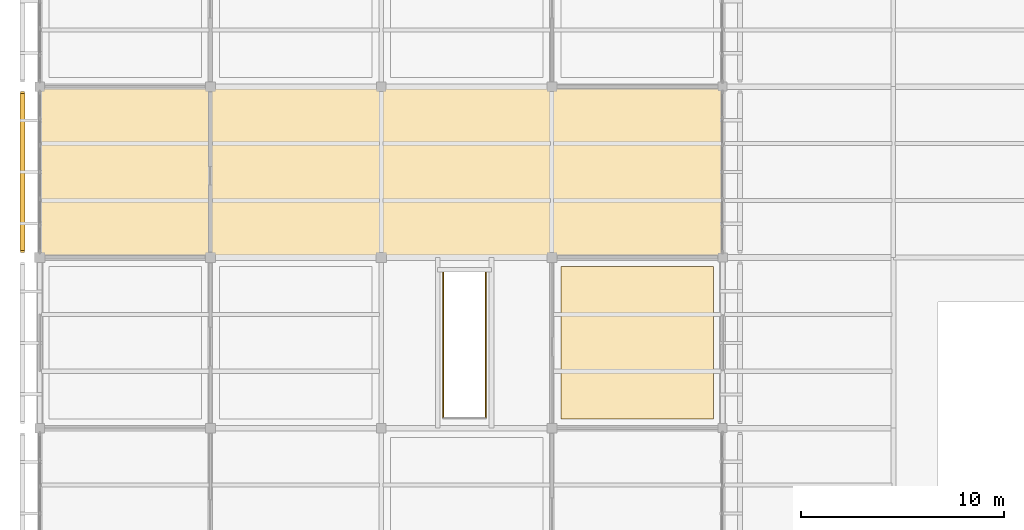
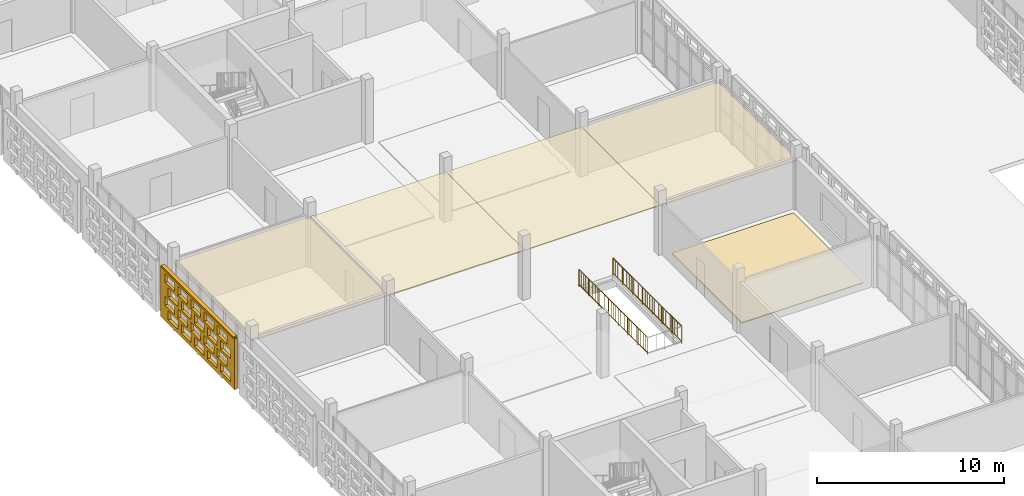
# One storey, part 129 of 166: 6 coverings, 2 railings, 1 shading device, 20 openings.
"""IFC4 building model written with IfcOpenShell, lengths in metres."""

from ifc_helpers import new_model, si_unit, direction, frame, frame_2d, origin, origin_2d, place, context, subcontext, project, spatial, rectangle, circle, extrude, material, layer, layer_set, type_object, element, save


model = new_model("IFC4")

# Units and contexts
model_context = context("Model", 3, precision=1e-05, world=origin(), true_north=direction((0.0, 1.0)))
body_context = subcontext(model_context, "Body", "Model", "MODEL_VIEW")
ifc_project = project(units=[si_unit("LENGTHUNIT", "METRE"), si_unit("AREAUNIT", "SQUARE_METRE"), si_unit("VOLUMEUNIT", "CUBIC_METRE"), si_unit("PLANEANGLEUNIT", "RADIAN"), si_unit("MASSUNIT", "GRAM", prefix="KILO")], contexts=[model_context])

# Site, building, storey
site_placement = place(None, origin())
site = spatial("IfcSite", under=ifc_project, at=site_placement, CompositionType="ELEMENT")
building_placement = place(site_placement, origin())
building = spatial("IfcBuilding", under=site, at=building_placement, Name="Varnapada Polytechnic", CompositionType="ELEMENT")
storey_placement = place(building_placement, frame((0.0, 0.0, 9.60009765625)))
storey = spatial("IfcBuildingStorey", under=building, at=storey_placement, Name="L02", CompositionType="ELEMENT", Elevation=9.60009765625)

# Covering
ifc_material_1 = material(Name="End-Grain Timber Studio Block Flooring", Category="wood")
ifc_layer_1 = layer(ifc_material_1, 0.054931640625)
ifc_layer_set_1 = layer_set([ifc_layer_1], Name="End-Grain Timber Studio Block Flooring")
covering_type_1 = type_object("IfcCoveringType", Name="Floor Finish FLR-04", PredefinedType="FLOORING", material=ifc_layer_set_1)
covering_1_placement = place(storey_placement, frame((29.39990234375, 79.800048828125, 0.0), z_axis=(0.0, 0.0, 1.0), x_axis=(1.0, 0.0, 0.0)))
element("IfcCovering", 1, at=covering_1_placement, inside=storey, type_object=covering_type_1, Name="L02 floor finish panel (4,10)", PredefinedType="FLOORING", context=body_context, shape_type="SweptSolid", body=[
    extrude(rectangle(XDim=7.5, YDim=7.5, at=origin_2d()), origin(), (0.0, 0.0, 1.0), 0.054931640625),
])

# Railings
ifc_material_2 = material(Name="Brushed Stainless Steel 316", Category="steel")
railing_type = type_object("IfcRailingType", Name="Stair Well Guard Rail SGR-01", PredefinedType="BALUSTRADE", material=ifc_material_2)
railing_1_placement = place(storey_placement, frame((19.85009765625, 76.080078125, 0.0)))
element("IfcRailing", 2, at=railing_1_placement, inside=storey, type_object=railing_type, Name="L02 studio stair ST-F7 well guard 1", PredefinedType="BALUSTRADE", context=body_context, shape_type="SweptSolid", body=[
    extrude(circle(Radius=0.02392578125, at=origin_2d()), frame((0.0, 0.0, 1.09619140625), z_axis=(0.0, 1.0, 0.0), x_axis=(-1.0, 0.0, 0.0)), (0.0, 0.0, 1.0), 7.33984375),
    extrude(circle(Radius=0.02392578125, at=origin_2d()), frame((0.0, 0.0, 0.10009765625), z_axis=(0.0, 1.0, 0.0), x_axis=(-1.0, 0.0, 0.0)), (0.0, 0.0, 1.0), 7.33984375),
    extrude(circle(Radius=0.02099609375, at=origin_2d()), origin(), (0.0, 0.0, 1.0), 1.072021484375),
    extrude(circle(Radius=0.02099609375, at=origin_2d()), frame((0.0, 1.048583984375, 0.0)), (0.0, 0.0, 1.0), 1.072021484375),
    extrude(circle(Radius=0.02099609375, at=origin_2d()), frame((0.0, 2.09716796875, 0.0)), (0.0, 0.0, 1.0), 1.072021484375),
    extrude(circle(Radius=0.02099609375, at=origin_2d()), frame((0.0, 3.145751953125, 0.0)), (0.0, 0.0, 1.0), 1.072021484375),
    extrude(circle(Radius=0.02099609375, at=origin_2d()), frame((0.0, 4.194091796875, 0.0)), (0.0, 0.0, 1.0), 1.072021484375),
    extrude(circle(Radius=0.02099609375, at=origin_2d()), frame((0.0, 5.24267578125, 0.0)), (0.0, 0.0, 1.0), 1.072021484375),
    extrude(circle(Radius=0.02099609375, at=origin_2d()), frame((0.0, 6.291259765625, 0.0)), (0.0, 0.0, 1.0), 1.072021484375),
    extrude(circle(Radius=0.02099609375, at=origin_2d()), frame((0.0, 7.33984375, 0.0)), (0.0, 0.0, 1.0), 1.072021484375),
    extrude(circle(Radius=0.010009765625, at=origin_2d()), frame((0.0, 0.24462890625, 0.10009765625)), (0.0, 0.0, 1.0), 0.971923828125),
    extrude(circle(Radius=0.010009765625, at=origin_2d()), frame((0.0, 0.4892578125, 0.10009765625)), (0.0, 0.0, 1.0), 0.971923828125),
    extrude(circle(Radius=0.010009765625, at=origin_2d()), frame((0.0, 0.73388671875, 0.10009765625)), (0.0, 0.0, 1.0), 0.971923828125),
    extrude(circle(Radius=0.010009765625, at=origin_2d()), frame((0.0, 0.978759765625, 0.10009765625)), (0.0, 0.0, 1.0), 0.971923828125),
    extrude(circle(Radius=0.010009765625, at=origin_2d()), frame((0.0, 1.223388671875, 0.10009765625)), (0.0, 0.0, 1.0), 0.971923828125),
    extrude(circle(Radius=0.010009765625, at=origin_2d()), frame((0.0, 1.468017578125, 0.10009765625)), (0.0, 0.0, 1.0), 0.971923828125),
    extrude(circle(Radius=0.010009765625, at=origin_2d()), frame((0.0, 1.712646484375, 0.10009765625)), (0.0, 0.0, 1.0), 0.971923828125),
    extrude(circle(Radius=0.010009765625, at=origin_2d()), frame((0.0, 1.957275390625, 0.10009765625)), (0.0, 0.0, 1.0), 0.971923828125),
    extrude(circle(Radius=0.010009765625, at=origin_2d()), frame((0.0, 2.201904296875, 0.10009765625)), (0.0, 0.0, 1.0), 0.971923828125),
    extrude(circle(Radius=0.010009765625, at=origin_2d()), frame((0.0, 2.446533203125, 0.10009765625)), (0.0, 0.0, 1.0), 0.971923828125),
    extrude(circle(Radius=0.010009765625, at=origin_2d()), frame((0.0, 2.691162109375, 0.10009765625)), (0.0, 0.0, 1.0), 0.971923828125),
    extrude(circle(Radius=0.010009765625, at=origin_2d()), frame((0.0, 2.93603515625, 0.10009765625)), (0.0, 0.0, 1.0), 0.971923828125),
    extrude(circle(Radius=0.010009765625, at=origin_2d()), frame((0.0, 3.1806640625, 0.10009765625)), (0.0, 0.0, 1.0), 0.971923828125),
    extrude(circle(Radius=0.010009765625, at=origin_2d()), frame((0.0, 3.42529296875, 0.10009765625)), (0.0, 0.0, 1.0), 0.971923828125),
    extrude(circle(Radius=0.010009765625, at=origin_2d()), frame((0.0, 3.669921875, 0.10009765625)), (0.0, 0.0, 1.0), 0.971923828125),
    extrude(circle(Radius=0.010009765625, at=origin_2d()), frame((0.0, 3.91455078125, 0.10009765625)), (0.0, 0.0, 1.0), 0.971923828125),
    extrude(circle(Radius=0.010009765625, at=origin_2d()), frame((0.0, 4.1591796875, 0.10009765625)), (0.0, 0.0, 1.0), 0.971923828125),
    extrude(circle(Radius=0.010009765625, at=origin_2d()), frame((0.0, 4.40380859375, 0.10009765625)), (0.0, 0.0, 1.0), 0.971923828125),
    extrude(circle(Radius=0.010009765625, at=origin_2d()), frame((0.0, 4.648681640625, 0.10009765625)), (0.0, 0.0, 1.0), 0.971923828125),
    extrude(circle(Radius=0.010009765625, at=origin_2d()), frame((0.0, 4.893310546875, 0.10009765625)), (0.0, 0.0, 1.0), 0.971923828125),
    extrude(circle(Radius=0.010009765625, at=origin_2d()), frame((0.0, 5.137939453125, 0.10009765625)), (0.0, 0.0, 1.0), 0.971923828125),
    extrude(circle(Radius=0.010009765625, at=origin_2d()), frame((0.0, 5.382568359375, 0.10009765625)), (0.0, 0.0, 1.0), 0.971923828125),
    extrude(circle(Radius=0.010009765625, at=origin_2d()), frame((0.0, 5.627197265625, 0.10009765625)), (0.0, 0.0, 1.0), 0.971923828125),
    extrude(circle(Radius=0.010009765625, at=origin_2d()), frame((0.0, 5.871826171875, 0.10009765625)), (0.0, 0.0, 1.0), 0.971923828125),
    extrude(circle(Radius=0.010009765625, at=origin_2d()), frame((0.0, 6.116455078125, 0.10009765625)), (0.0, 0.0, 1.0), 0.971923828125),
    extrude(circle(Radius=0.010009765625, at=origin_2d()), frame((0.0, 6.361083984375, 0.10009765625)), (0.0, 0.0, 1.0), 0.971923828125),
    extrude(circle(Radius=0.010009765625, at=origin_2d()), frame((0.0, 6.60595703125, 0.10009765625)), (0.0, 0.0, 1.0), 0.971923828125),
    extrude(circle(Radius=0.010009765625, at=origin_2d()), frame((0.0, 6.8505859375, 0.10009765625)), (0.0, 0.0, 1.0), 0.971923828125),
    extrude(circle(Radius=0.010009765625, at=origin_2d()), frame((0.0, 7.09521484375, 0.10009765625)), (0.0, 0.0, 1.0), 0.971923828125),
])
railing_2_placement = place(storey_placement, frame((21.949951171875, 76.080078125, 0.0)))
element("IfcRailing", 3, at=railing_2_placement, inside=storey, type_object=railing_type, Name="L02 studio stair ST-F7 well guard 2", PredefinedType="BALUSTRADE", context=body_context, shape_type="SweptSolid", body=[
    extrude(circle(Radius=0.02392578125, at=origin_2d()), frame((0.0, 0.0, 1.09619140625), z_axis=(0.0, 1.0, 0.0), x_axis=(-1.0, 0.0, 0.0)), (0.0, 0.0, 1.0), 7.33984375),
    extrude(circle(Radius=0.02392578125, at=origin_2d()), frame((0.0, 0.0, 0.10009765625), z_axis=(0.0, 1.0, 0.0), x_axis=(-1.0, 0.0, 0.0)), (0.0, 0.0, 1.0), 7.33984375),
    extrude(circle(Radius=0.02099609375, at=origin_2d()), origin(), (0.0, 0.0, 1.0), 1.072021484375),
    extrude(circle(Radius=0.02099609375, at=origin_2d()), frame((0.0, 1.048583984375, 0.0)), (0.0, 0.0, 1.0), 1.072021484375),
    extrude(circle(Radius=0.02099609375, at=origin_2d()), frame((0.0, 2.09716796875, 0.0)), (0.0, 0.0, 1.0), 1.072021484375),
    extrude(circle(Radius=0.02099609375, at=origin_2d()), frame((0.0, 3.145751953125, 0.0)), (0.0, 0.0, 1.0), 1.072021484375),
    extrude(circle(Radius=0.02099609375, at=origin_2d()), frame((0.0, 4.194091796875, 0.0)), (0.0, 0.0, 1.0), 1.072021484375),
    extrude(circle(Radius=0.02099609375, at=origin_2d()), frame((0.0, 5.24267578125, 0.0)), (0.0, 0.0, 1.0), 1.072021484375),
    extrude(circle(Radius=0.02099609375, at=origin_2d()), frame((0.0, 6.291259765625, 0.0)), (0.0, 0.0, 1.0), 1.072021484375),
    extrude(circle(Radius=0.02099609375, at=origin_2d()), frame((0.0, 7.33984375, 0.0)), (0.0, 0.0, 1.0), 1.072021484375),
    extrude(circle(Radius=0.010009765625, at=origin_2d()), frame((0.0, 0.24462890625, 0.10009765625)), (0.0, 0.0, 1.0), 0.971923828125),
    extrude(circle(Radius=0.010009765625, at=origin_2d()), frame((0.0, 0.4892578125, 0.10009765625)), (0.0, 0.0, 1.0), 0.971923828125),
    extrude(circle(Radius=0.010009765625, at=origin_2d()), frame((0.0, 0.73388671875, 0.10009765625)), (0.0, 0.0, 1.0), 0.971923828125),
    extrude(circle(Radius=0.010009765625, at=origin_2d()), frame((0.0, 0.978759765625, 0.10009765625)), (0.0, 0.0, 1.0), 0.971923828125),
    extrude(circle(Radius=0.010009765625, at=origin_2d()), frame((0.0, 1.223388671875, 0.10009765625)), (0.0, 0.0, 1.0), 0.971923828125),
    extrude(circle(Radius=0.010009765625, at=origin_2d()), frame((0.0, 1.468017578125, 0.10009765625)), (0.0, 0.0, 1.0), 0.971923828125),
    extrude(circle(Radius=0.010009765625, at=origin_2d()), frame((0.0, 1.712646484375, 0.10009765625)), (0.0, 0.0, 1.0), 0.971923828125),
    extrude(circle(Radius=0.010009765625, at=origin_2d()), frame((0.0, 1.957275390625, 0.10009765625)), (0.0, 0.0, 1.0), 0.971923828125),
    extrude(circle(Radius=0.010009765625, at=origin_2d()), frame((0.0, 2.201904296875, 0.10009765625)), (0.0, 0.0, 1.0), 0.971923828125),
    extrude(circle(Radius=0.010009765625, at=origin_2d()), frame((0.0, 2.446533203125, 0.10009765625)), (0.0, 0.0, 1.0), 0.971923828125),
    extrude(circle(Radius=0.010009765625, at=origin_2d()), frame((0.0, 2.691162109375, 0.10009765625)), (0.0, 0.0, 1.0), 0.971923828125),
    extrude(circle(Radius=0.010009765625, at=origin_2d()), frame((0.0, 2.93603515625, 0.10009765625)), (0.0, 0.0, 1.0), 0.971923828125),
    extrude(circle(Radius=0.010009765625, at=origin_2d()), frame((0.0, 3.1806640625, 0.10009765625)), (0.0, 0.0, 1.0), 0.971923828125),
    extrude(circle(Radius=0.010009765625, at=origin_2d()), frame((0.0, 3.42529296875, 0.10009765625)), (0.0, 0.0, 1.0), 0.971923828125),
    extrude(circle(Radius=0.010009765625, at=origin_2d()), frame((0.0, 3.669921875, 0.10009765625)), (0.0, 0.0, 1.0), 0.971923828125),
    extrude(circle(Radius=0.010009765625, at=origin_2d()), frame((0.0, 3.91455078125, 0.10009765625)), (0.0, 0.0, 1.0), 0.971923828125),
    extrude(circle(Radius=0.010009765625, at=origin_2d()), frame((0.0, 4.1591796875, 0.10009765625)), (0.0, 0.0, 1.0), 0.971923828125),
    extrude(circle(Radius=0.010009765625, at=origin_2d()), frame((0.0, 4.40380859375, 0.10009765625)), (0.0, 0.0, 1.0), 0.971923828125),
    extrude(circle(Radius=0.010009765625, at=origin_2d()), frame((0.0, 4.648681640625, 0.10009765625)), (0.0, 0.0, 1.0), 0.971923828125),
    extrude(circle(Radius=0.010009765625, at=origin_2d()), frame((0.0, 4.893310546875, 0.10009765625)), (0.0, 0.0, 1.0), 0.971923828125),
    extrude(circle(Radius=0.010009765625, at=origin_2d()), frame((0.0, 5.137939453125, 0.10009765625)), (0.0, 0.0, 1.0), 0.971923828125),
    extrude(circle(Radius=0.010009765625, at=origin_2d()), frame((0.0, 5.382568359375, 0.10009765625)), (0.0, 0.0, 1.0), 0.971923828125),
    extrude(circle(Radius=0.010009765625, at=origin_2d()), frame((0.0, 5.627197265625, 0.10009765625)), (0.0, 0.0, 1.0), 0.971923828125),
    extrude(circle(Radius=0.010009765625, at=origin_2d()), frame((0.0, 5.871826171875, 0.10009765625)), (0.0, 0.0, 1.0), 0.971923828125),
    extrude(circle(Radius=0.010009765625, at=origin_2d()), frame((0.0, 6.116455078125, 0.10009765625)), (0.0, 0.0, 1.0), 0.971923828125),
    extrude(circle(Radius=0.010009765625, at=origin_2d()), frame((0.0, 6.361083984375, 0.10009765625)), (0.0, 0.0, 1.0), 0.971923828125),
    extrude(circle(Radius=0.010009765625, at=origin_2d()), frame((0.0, 6.60595703125, 0.10009765625)), (0.0, 0.0, 1.0), 0.971923828125),
    extrude(circle(Radius=0.010009765625, at=origin_2d()), frame((0.0, 6.8505859375, 0.10009765625)), (0.0, 0.0, 1.0), 0.971923828125),
    extrude(circle(Radius=0.010009765625, at=origin_2d()), frame((0.0, 7.09521484375, 0.10009765625)), (0.0, 0.0, 1.0), 0.971923828125),
])

# Coverings
ifc_material_3 = material(Name="Slatted Merbau Timber Acoustic Ceiling", Category="wood")
ifc_layer_2 = layer(ifc_material_3, 0.054931640625)
ifc_layer_set_2 = layer_set([ifc_layer_2], Name="Slatted Merbau Timber Acoustic Ceiling")
covering_type_2 = type_object("IfcCoveringType", Name="Suspended Ceiling CLG-05", PredefinedType="CEILING", material=ifc_layer_set_2)
for number, where, z_axis, x_axis, name in (
    (4, (21.0, 88.199951171875, 3.0224609375), (0.0, 0.0, 1.0), (1.0, 0.0, 0.0), "L02 suspended acoustic ceiling (3,11)"),
    (5, (29.39990234375, 88.199951171875, 3.0224609375), (0.0, 0.0, 1.0), (1.0, 0.0, 0.0), "L02 suspended acoustic ceiling (4,11)"),
):
    element("IfcCovering", number, at=place(storey_placement, frame(where, z_axis=z_axis, x_axis=x_axis)), inside=storey, type_object=covering_type_2, Name=name, PredefinedType="CEILING", context=body_context, shape_type="SweptSolid", body=[
        extrude(rectangle(XDim=8.419921875, YDim=8.419921875, at=origin_2d()), origin(), (0.0, 0.0, 1.0), 0.054931640625),
    ])
ifc_material_4 = material(Name="Deep Acoustic Auditorium Cloud Baffle")
ifc_layer_3 = layer(ifc_material_4, 0.06494140625)
ifc_layer_set_3 = layer_set([ifc_layer_3], Name="Deep Acoustic Auditorium Cloud Baffle")
covering_type_3 = type_object("IfcCoveringType", Name="Suspended Ceiling CLG-07", PredefinedType="CEILING", material=ifc_layer_set_3)
for number, where, z_axis, x_axis, name in (
    (6, (4.199951171875, 88.199951171875, 3.017333984375), (0.0, 0.0, 1.0), (1.0, 0.0, 0.0), "L02 suspended acoustic ceiling (1,11)"),
    (7, (12.60009765625, 88.199951171875, 3.017333984375), (0.0, 0.0, 1.0), (1.0, 0.0, 0.0), "L02 suspended acoustic ceiling (2,11)"),
):
    element("IfcCovering", number, at=place(storey_placement, frame(where, z_axis=z_axis, x_axis=x_axis)), inside=storey, type_object=covering_type_3, Name=name, PredefinedType="CEILING", context=body_context, shape_type="SweptSolid", body=[
        extrude(rectangle(XDim=8.419921875, YDim=8.419921875, at=origin_2d()), origin(), (0.0, 0.0, 1.0), 0.06494140625),
    ])

# Covering, openings
ifc_material_5 = material(Name="Earth-toned architectural terracotta screen block", Category="masonry")
ifc_layer_4 = layer(ifc_material_5, 0.1201171875)
ifc_layer_set_4 = layer_set([ifc_layer_4], Name="Earth-toned architectural terracotta screen block")
covering_type_4 = type_object("IfcCoveringType", Name="Terracotta Screen Cladding CLD-01", PredefinedType="CLADDING", material=ifc_layer_set_4)
covering_2_placement = place(storey_placement, frame((-0.85009765625, 84.25, 0.0), z_axis=(0.0, 0.0, 1.0), x_axis=(0.0, 1.0, 0.0)))
covering_2 = element("IfcCovering", 8, at=covering_2_placement, inside=storey, type_object=covering_type_4, Name="L02 perforated terracotta block screen (7)", PredefinedType="CLADDING", context=body_context, shape_type="SweptSolid", body=[
    extrude(rectangle(XDim=7.909912109375, YDim=0.179931640625, at=frame_2d((3.955078125, 0.0))), origin(), (0.0, 0.0, 1.0), 3.31982421875),
])
opening_1_placement = place(covering_2_placement, frame((0.455078125, 0.0, 0.265625)))
element("IfcOpeningElement", 9, at=opening_1_placement, cuts=covering_2, Name="Screen perforation TBS-L02-006.1", PredefinedType="OPENING", context=body_context, shape_type="SweptSolid", body=[
    extrude(rectangle(XDim=1.0400390625, YDim=0.5810546875, at=frame_2d((0.52001953125, 0.29052734375))), frame((0.0, 0.099853515625, 0.0), z_axis=(0.0, -1.0, 0.0), x_axis=(1.0, 0.0, 0.0)), (0.0, 0.0, 1.0), 0.199951171875),
])
opening_2_placement = place(covering_2_placement, frame((1.85498046875, 0.0, 0.265625)))
element("IfcOpeningElement", 10, at=opening_2_placement, cuts=covering_2, Name="Screen perforation TBS-L02-006.2", PredefinedType="OPENING", context=body_context, shape_type="SweptSolid", body=[
    extrude(rectangle(XDim=1.0400390625, YDim=0.5810546875, at=frame_2d((0.52001953125, 0.29052734375))), frame((0.0, 0.099853515625, 0.0), z_axis=(0.0, -1.0, 0.0), x_axis=(1.0, 0.0, 0.0)), (0.0, 0.0, 1.0), 0.199951171875),
])
opening_3_placement = place(covering_2_placement, frame((3.2548828125, 0.0, 0.265625)))
element("IfcOpeningElement", 11, at=opening_3_placement, cuts=covering_2, Name="Screen perforation TBS-L02-006.3", PredefinedType="OPENING", context=body_context, shape_type="SweptSolid", body=[
    extrude(rectangle(XDim=1.0400390625, YDim=0.5810546875, at=frame_2d((0.52001953125, 0.29052734375))), frame((0.0, 0.099853515625, 0.0), z_axis=(0.0, -1.0, 0.0), x_axis=(1.0, 0.0, 0.0)), (0.0, 0.0, 1.0), 0.199951171875),
])
opening_4_placement = place(covering_2_placement, frame((4.655029296875, 0.0, 0.265625)))
element("IfcOpeningElement", 12, at=opening_4_placement, cuts=covering_2, Name="Screen perforation TBS-L02-006.4", PredefinedType="OPENING", context=body_context, shape_type="SweptSolid", body=[
    extrude(rectangle(XDim=1.0400390625, YDim=0.5810546875, at=frame_2d((0.52001953125, 0.29052734375))), frame((0.0, 0.099853515625, 0.0), z_axis=(0.0, -1.0, 0.0), x_axis=(1.0, 0.0, 0.0)), (0.0, 0.0, 1.0), 0.199951171875),
])
opening_5_placement = place(covering_2_placement, frame((6.054931640625, 0.0, 0.265625)))
element("IfcOpeningElement", 13, at=opening_5_placement, cuts=covering_2, Name="Screen perforation TBS-L02-006.5", PredefinedType="OPENING", context=body_context, shape_type="SweptSolid", body=[
    extrude(rectangle(XDim=1.0400390625, YDim=0.5810546875, at=frame_2d((0.52001953125, 0.29052734375))), frame((0.0, 0.099853515625, 0.0), z_axis=(0.0, -1.0, 0.0), x_axis=(1.0, 0.0, 0.0)), (0.0, 0.0, 1.0), 0.199951171875),
])
opening_6_placement = place(covering_2_placement, frame((0.81494140625, 0.0, 1.0126953125)))
element("IfcOpeningElement", 14, at=opening_6_placement, cuts=covering_2, Name="Screen perforation TBS-L02-006.6", PredefinedType="OPENING", context=body_context, shape_type="SweptSolid", body=[
    extrude(rectangle(XDim=1.0400390625, YDim=0.5810546875, at=frame_2d((0.52001953125, 0.29052734375))), frame((0.0, 0.099853515625, 0.0), z_axis=(0.0, -1.0, 0.0), x_axis=(1.0, 0.0, 0.0)), (0.0, 0.0, 1.0), 0.199951171875),
])
opening_7_placement = place(covering_2_placement, frame((2.215087890625, 0.0, 1.0126953125)))
element("IfcOpeningElement", 15, at=opening_7_placement, cuts=covering_2, Name="Screen perforation TBS-L02-006.7", PredefinedType="OPENING", context=body_context, shape_type="SweptSolid", body=[
    extrude(rectangle(XDim=1.0400390625, YDim=0.5810546875, at=frame_2d((0.52001953125, 0.29052734375))), frame((0.0, 0.099853515625, 0.0), z_axis=(0.0, -1.0, 0.0), x_axis=(1.0, 0.0, 0.0)), (0.0, 0.0, 1.0), 0.199951171875),
])
opening_8_placement = place(covering_2_placement, frame((3.614990234375, 0.0, 1.0126953125)))
element("IfcOpeningElement", 16, at=opening_8_placement, cuts=covering_2, Name="Screen perforation TBS-L02-006.8", PredefinedType="OPENING", context=body_context, shape_type="SweptSolid", body=[
    extrude(rectangle(XDim=1.0400390625, YDim=0.5810546875, at=frame_2d((0.52001953125, 0.29052734375))), frame((0.0, 0.099853515625, 0.0), z_axis=(0.0, -1.0, 0.0), x_axis=(1.0, 0.0, 0.0)), (0.0, 0.0, 1.0), 0.199951171875),
])
opening_9_placement = place(covering_2_placement, frame((5.014892578125, 0.0, 1.0126953125)))
element("IfcOpeningElement", 17, at=opening_9_placement, cuts=covering_2, Name="Screen perforation TBS-L02-006.9", PredefinedType="OPENING", context=body_context, shape_type="SweptSolid", body=[
    extrude(rectangle(XDim=1.0400390625, YDim=0.5810546875, at=frame_2d((0.52001953125, 0.29052734375))), frame((0.0, 0.099853515625, 0.0), z_axis=(0.0, -1.0, 0.0), x_axis=(1.0, 0.0, 0.0)), (0.0, 0.0, 1.0), 0.199951171875),
])
opening_10_placement = place(covering_2_placement, frame((6.4150390625, 0.0, 1.0126953125)))
element("IfcOpeningElement", 18, at=opening_10_placement, cuts=covering_2, Name="Screen perforation TBS-L02-006.10", PredefinedType="OPENING", context=body_context, shape_type="SweptSolid", body=[
    extrude(rectangle(XDim=1.0400390625, YDim=0.5810546875, at=frame_2d((0.52001953125, 0.29052734375))), frame((0.0, 0.099853515625, 0.0), z_axis=(0.0, -1.0, 0.0), x_axis=(1.0, 0.0, 0.0)), (0.0, 0.0, 1.0), 0.199951171875),
])
opening_11_placement = place(covering_2_placement, frame((0.455078125, 0.0, 1.759521484375)))
element("IfcOpeningElement", 19, at=opening_11_placement, cuts=covering_2, Name="Screen perforation TBS-L02-006.11", PredefinedType="OPENING", context=body_context, shape_type="SweptSolid", body=[
    extrude(rectangle(XDim=1.0400390625, YDim=0.5810546875, at=frame_2d((0.52001953125, 0.29052734375))), frame((0.0, 0.099853515625, 0.0), z_axis=(0.0, -1.0, 0.0), x_axis=(1.0, 0.0, 0.0)), (0.0, 0.0, 1.0), 0.199951171875),
])
opening_12_placement = place(covering_2_placement, frame((1.85498046875, 0.0, 1.759521484375)))
element("IfcOpeningElement", 20, at=opening_12_placement, cuts=covering_2, Name="Screen perforation TBS-L02-006.12", PredefinedType="OPENING", context=body_context, shape_type="SweptSolid", body=[
    extrude(rectangle(XDim=1.0400390625, YDim=0.5810546875, at=frame_2d((0.52001953125, 0.29052734375))), frame((0.0, 0.099853515625, 0.0), z_axis=(0.0, -1.0, 0.0), x_axis=(1.0, 0.0, 0.0)), (0.0, 0.0, 1.0), 0.199951171875),
])
opening_13_placement = place(covering_2_placement, frame((3.2548828125, 0.0, 1.759521484375)))
element("IfcOpeningElement", 21, at=opening_13_placement, cuts=covering_2, Name="Screen perforation TBS-L02-006.13", PredefinedType="OPENING", context=body_context, shape_type="SweptSolid", body=[
    extrude(rectangle(XDim=1.0400390625, YDim=0.5810546875, at=frame_2d((0.52001953125, 0.29052734375))), frame((0.0, 0.099853515625, 0.0), z_axis=(0.0, -1.0, 0.0), x_axis=(1.0, 0.0, 0.0)), (0.0, 0.0, 1.0), 0.199951171875),
])
opening_14_placement = place(covering_2_placement, frame((4.655029296875, 0.0, 1.759521484375)))
element("IfcOpeningElement", 22, at=opening_14_placement, cuts=covering_2, Name="Screen perforation TBS-L02-006.14", PredefinedType="OPENING", context=body_context, shape_type="SweptSolid", body=[
    extrude(rectangle(XDim=1.0400390625, YDim=0.5810546875, at=frame_2d((0.52001953125, 0.29052734375))), frame((0.0, 0.099853515625, 0.0), z_axis=(0.0, -1.0, 0.0), x_axis=(1.0, 0.0, 0.0)), (0.0, 0.0, 1.0), 0.199951171875),
])
opening_15_placement = place(covering_2_placement, frame((6.054931640625, 0.0, 1.759521484375)))
element("IfcOpeningElement", 23, at=opening_15_placement, cuts=covering_2, Name="Screen perforation TBS-L02-006.15", PredefinedType="OPENING", context=body_context, shape_type="SweptSolid", body=[
    extrude(rectangle(XDim=1.0400390625, YDim=0.5810546875, at=frame_2d((0.52001953125, 0.29052734375))), frame((0.0, 0.099853515625, 0.0), z_axis=(0.0, -1.0, 0.0), x_axis=(1.0, 0.0, 0.0)), (0.0, 0.0, 1.0), 0.199951171875),
])
opening_16_placement = place(covering_2_placement, frame((0.81494140625, 0.0, 2.506591796875)))
element("IfcOpeningElement", 24, at=opening_16_placement, cuts=covering_2, Name="Screen perforation TBS-L02-006.16", PredefinedType="OPENING", context=body_context, shape_type="SweptSolid", body=[
    extrude(rectangle(XDim=1.0400390625, YDim=0.5810546875, at=frame_2d((0.52001953125, 0.29052734375))), frame((0.0, 0.099853515625, 0.0), z_axis=(0.0, -1.0, 0.0), x_axis=(1.0, 0.0, 0.0)), (0.0, 0.0, 1.0), 0.199951171875),
])
opening_17_placement = place(covering_2_placement, frame((2.215087890625, 0.0, 2.506591796875)))
element("IfcOpeningElement", 25, at=opening_17_placement, cuts=covering_2, Name="Screen perforation TBS-L02-006.17", PredefinedType="OPENING", context=body_context, shape_type="SweptSolid", body=[
    extrude(rectangle(XDim=1.0400390625, YDim=0.5810546875, at=frame_2d((0.52001953125, 0.29052734375))), frame((0.0, 0.099853515625, 0.0), z_axis=(0.0, -1.0, 0.0), x_axis=(1.0, 0.0, 0.0)), (0.0, 0.0, 1.0), 0.199951171875),
])
opening_18_placement = place(covering_2_placement, frame((3.614990234375, 0.0, 2.506591796875)))
element("IfcOpeningElement", 26, at=opening_18_placement, cuts=covering_2, Name="Screen perforation TBS-L02-006.18", PredefinedType="OPENING", context=body_context, shape_type="SweptSolid", body=[
    extrude(rectangle(XDim=1.0400390625, YDim=0.5810546875, at=frame_2d((0.52001953125, 0.29052734375))), frame((0.0, 0.099853515625, 0.0), z_axis=(0.0, -1.0, 0.0), x_axis=(1.0, 0.0, 0.0)), (0.0, 0.0, 1.0), 0.199951171875),
])
opening_19_placement = place(covering_2_placement, frame((5.014892578125, 0.0, 2.506591796875)))
element("IfcOpeningElement", 27, at=opening_19_placement, cuts=covering_2, Name="Screen perforation TBS-L02-006.19", PredefinedType="OPENING", context=body_context, shape_type="SweptSolid", body=[
    extrude(rectangle(XDim=1.0400390625, YDim=0.5810546875, at=frame_2d((0.52001953125, 0.29052734375))), frame((0.0, 0.099853515625, 0.0), z_axis=(0.0, -1.0, 0.0), x_axis=(1.0, 0.0, 0.0)), (0.0, 0.0, 1.0), 0.199951171875),
])
opening_20_placement = place(covering_2_placement, frame((6.4150390625, 0.0, 2.506591796875)))
element("IfcOpeningElement", 28, at=opening_20_placement, cuts=covering_2, Name="Screen perforation TBS-L02-006.20", PredefinedType="OPENING", context=body_context, shape_type="SweptSolid", body=[
    extrude(rectangle(XDim=1.0400390625, YDim=0.5810546875, at=frame_2d((0.52001953125, 0.29052734375))), frame((0.0, 0.099853515625, 0.0), z_axis=(0.0, -1.0, 0.0), x_axis=(1.0, 0.0, 0.0)), (0.0, 0.0, 1.0), 0.199951171875),
])

# Shading device
ifc_layer_5 = layer(ifc_material_5, 0.179931640625)
ifc_layer_set_5 = layer_set([ifc_layer_5], Name="Earth-toned architectural terracotta screen block")
shading_device_type = type_object("IfcShadingDeviceType", Name="Terracotta Screen SCR-01", PredefinedType="USERDEFINED", material=ifc_layer_set_5)
shading_device_placement = place(storey_placement, frame((-0.85009765625, 88.205078125, 3.309814453125), z_axis=(0.0, 0.0, 1.0), x_axis=(0.0, 1.0, 0.0)))
element("IfcShadingDevice", 29, at=shading_device_placement, inside=storey, type_object=shading_device_type, Name="L02 perforated terracotta screen hood 237", ObjectType="SCREEN", PredefinedType="USERDEFINED", context=body_context, shape_type="SweptSolid", body=[
    extrude(rectangle(XDim=7.7099609375, YDim=0.239990234375, at=origin_2d()), origin(), (0.0, 0.0, 1.0), 0.10009765625),
])

save(model, "model.ifc")
